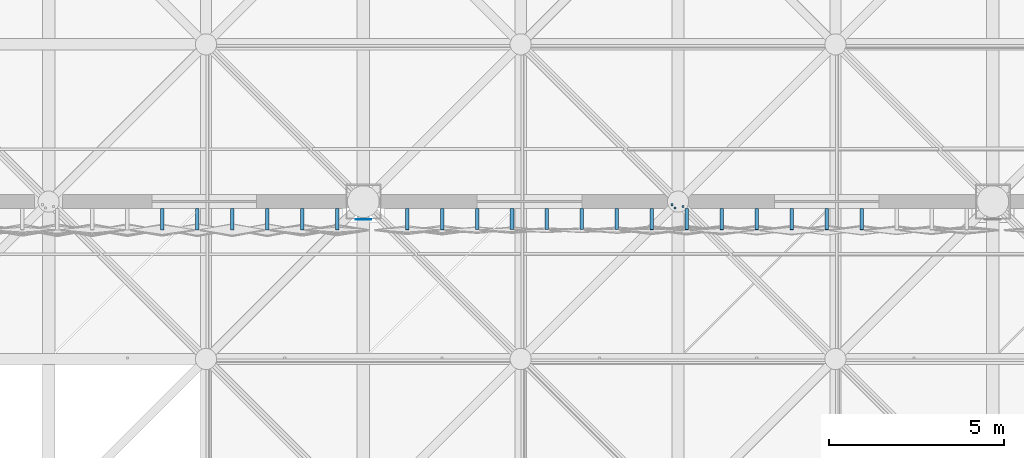
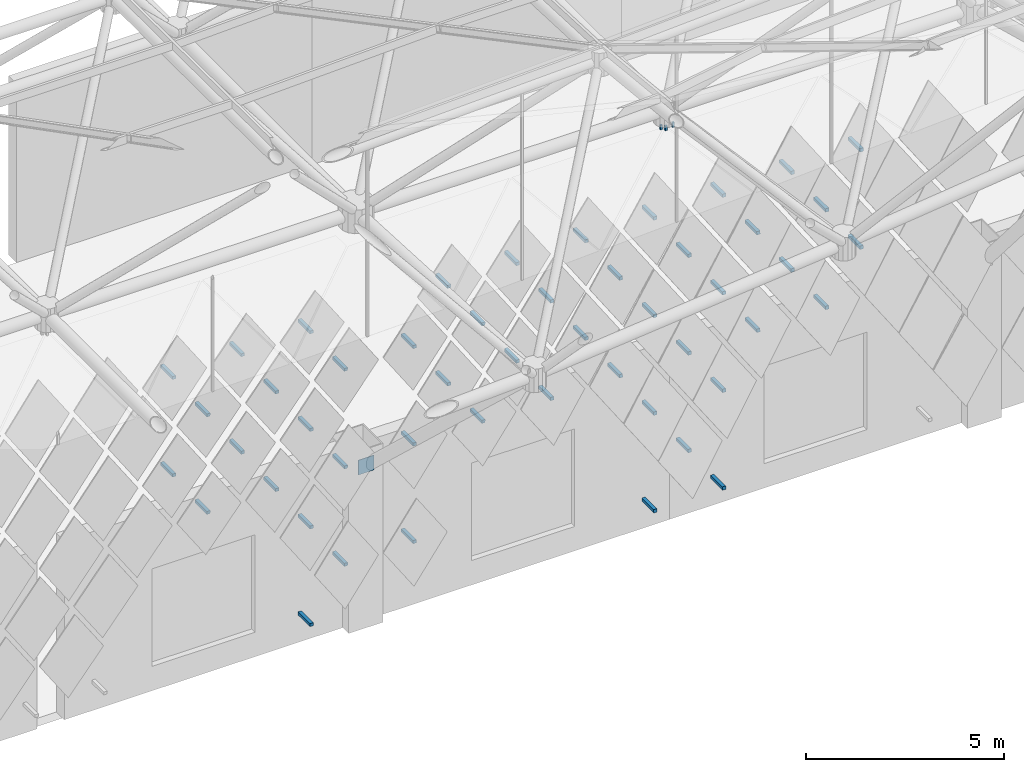
# One storey, part 371 of 437: 53 discrete accessories.
"""IFC4 building model written with IfcOpenShell, lengths in metres."""

from ifc_helpers import new_model, si_unit, direction, frame, origin, place, context, subcontext, project, spatial, polyline, outline, extrude, material, layer, layer_set, type_object, element, save


model = new_model("IFC4")

# Units and contexts
model_context = context("Model", 3, precision=1e-05, world=origin(), true_north=direction((0.0, 1.0)))
body_context = subcontext(model_context, "Body", "Model", "MODEL_VIEW")
ifc_project = project(units=[si_unit("LENGTHUNIT", "METRE"), si_unit("AREAUNIT", "SQUARE_METRE"), si_unit("VOLUMEUNIT", "CUBIC_METRE"), si_unit("PLANEANGLEUNIT", "RADIAN"), si_unit("MASSUNIT", "GRAM", prefix="KILO")], contexts=[model_context])

# Site, building, storey
site_placement = place(None, origin())
site = spatial("IfcSite", under=ifc_project, at=site_placement, CompositionType="ELEMENT")
building_placement = place(site_placement, origin())
building = spatial("IfcBuilding", under=site, at=building_placement, Name="Opaline Strait Convention Centre", CompositionType="ELEMENT")
storey_placement = place(building_placement, frame((0.0, 0.0, 11.5)))
storey = spatial("IfcBuildingStorey", under=building, at=storey_placement, Name="L02", CompositionType="ELEMENT", Elevation=11.5)

# Discrete accessories
ifc_material_1 = material(Name="Structural steel Q355B", Category="steel")
ifc_layer = layer(ifc_material_1, 0.01611328125)
ifc_layer_set = layer_set([ifc_layer], Name="Structural steel Q355B")
discrete_accessory_type_1 = type_object("IfcDiscreteAccessoryType", Name="Prop bearing plate 450 x 450 x 16", PredefinedType="ANCHORPLATE", material=ifc_layer_set)
discrete_accessory_1_placement = place(storey_placement, frame((0.0, 0.0, 4.7900390625)))
element("IfcDiscreteAccessory", 1, at=discrete_accessory_1_placement, inside=storey, type_object=discrete_accessory_type_1, Name="Prop bearing plate 225/54 S", PredefinedType="ANCHORPLATE", context=body_context, shape_type="SweptSolid", body=[
    extrude(outline(polyline([(224.77490234375, 53.48388671875), (225.22509765625, 53.48388671875), (225.22509765625, 53.5), (224.77490234375, 53.5), (224.77490234375, 53.48388671875)])), origin(), (0.0, 0.0, 1.0), 0.449951171875),
])
ifc_material_2 = material(Name="Steel Q355B", Category="steel")
discrete_accessory_type_2 = type_object("IfcDiscreteAccessoryType", Name="Soffit hanger 60x60 steel", PredefinedType="BRACKET", material=ifc_material_2)
discrete_accessory_2_placement = place(storey_placement, frame((0.0, 0.0, 11.99951171875)))
element("IfcDiscreteAccessory", 2, at=discrete_accessory_2_placement, inside=storey, type_object=discrete_accessory_type_2, Name="Soffit hanger", PredefinedType="BRACKET", context=body_context, shape_type="SweptSolid", body=[
    extrude(outline(polyline([(233.880859375, 53.791015625), (233.940673828125, 53.791015625), (233.940673828125, 53.85107421875), (233.880859375, 53.85107421875), (233.880859375, 53.791015625)])), origin(), (0.0, 0.0, 1.0), 0.140380859375),
])
discrete_accessory_3_placement = place(storey_placement, frame((0.0, 0.0, 12.000732421875)))
element("IfcDiscreteAccessory", 3, at=discrete_accessory_3_placement, inside=storey, type_object=discrete_accessory_type_2, Name="Soffit hanger", PredefinedType="BRACKET", context=body_context, shape_type="SweptSolid", body=[
    extrude(outline(polyline([(233.791015625, 53.880859375), (233.85107421875, 53.880859375), (233.85107421875, 53.940673828125), (233.791015625, 53.940673828125), (233.791015625, 53.880859375)])), origin(), (0.0, 0.0, 1.0), 0.13916015625),
])
discrete_accessory_4_placement = place(storey_placement, frame((0.0, 0.0, 11.9990234375)))
element("IfcDiscreteAccessory", 4, at=discrete_accessory_4_placement, inside=storey, type_object=discrete_accessory_type_2, Name="Soffit hanger", PredefinedType="BRACKET", context=body_context, shape_type="SweptSolid", body=[
    extrude(outline(polyline([(234.111328125, 53.82861328125), (234.17138671875, 53.82861328125), (234.17138671875, 53.888671875), (234.111328125, 53.888671875), (234.111328125, 53.82861328125)])), origin(), (0.0, 0.0, 1.0), 0.140869140625),
])
discrete_accessory_type_3 = type_object("IfcDiscreteAccessoryType", Name="Tile bracket 100x100 steel", PredefinedType="BRACKET", material=ifc_material_2)
discrete_accessory_5_placement = place(storey_placement, frame((223.199951171875, 53.800048828125, 0.89208984375), z_axis=(1.0, 0.0, 0.0), x_axis=(0.0, 1.0, 0.0)))
element("IfcDiscreteAccessory", 5, at=discrete_accessory_5_placement, inside=storey, type_object=discrete_accessory_type_3, Name="Tile bracket XT05 S", PredefinedType="BRACKET", context=body_context, shape_type="SweptSolid", body=[
    extrude(outline(polyline([(0.0, -0.050048828125), (0.0, 0.050048828125), (-0.602294921875, 0.050048828125), (-0.597900390625, -0.050048828125), (0.0, -0.050048828125)])), origin(), (0.0, 0.0, 1.0), 0.10009765625),
])
discrete_accessory_6_placement = place(storey_placement, frame((233.199951171875, 53.800048828125, 0.89208984375), z_axis=(1.0, 0.0, 0.0), x_axis=(0.0, 1.0, 0.0)))
element("IfcDiscreteAccessory", 6, at=discrete_accessory_6_placement, inside=storey, type_object=discrete_accessory_type_3, Name="Tile bracket XT12 S", PredefinedType="BRACKET", context=body_context, shape_type="SweptSolid", body=[
    extrude(outline(polyline([(0.0, -0.050048828125), (0.0, 0.050048828125), (-0.5947265625, 0.050048828125), (-0.605224609375, -0.050048828125), (0.0, -0.050048828125)])), origin(), (0.0, 0.0, 1.0), 0.10009765625),
])
discrete_accessory_7_placement = place(storey_placement, frame((235.199951171875, 53.800048828125, 0.89208984375), z_axis=(1.0, 0.0, 0.0), x_axis=(0.0, 1.0, 0.0)))
element("IfcDiscreteAccessory", 7, at=discrete_accessory_7_placement, inside=storey, type_object=discrete_accessory_type_3, Name="Tile bracket XT11 S", PredefinedType="BRACKET", context=body_context, shape_type="SweptSolid", body=[
    extrude(outline(polyline([(0.0, -0.050048828125), (0.0, 0.050048828125), (-0.59521484375, 0.050048828125), (-0.604736328125, -0.050048828125), (0.0, -0.050048828125)])), origin(), (0.0, 0.0, 1.0), 0.10009765625),
])
for number, where, z_axis, x_axis, name in (
    (8, (224.199951171875, 53.800048828125, 2.39208984375), (1.0, 0.0, 0.0), (0.0, 1.0, 0.0), "Tile bracket XT05 S"),
    (9, (226.199951171875, 53.800048828125, 2.39208984375), (1.0, 0.0, 0.0), (0.0, 1.0, 0.0), "Tile bracket XT05 S"),
):
    element("IfcDiscreteAccessory", number, at=place(storey_placement, frame(where, z_axis=z_axis, x_axis=x_axis)), inside=storey, type_object=discrete_accessory_type_3, Name=name, PredefinedType="BRACKET", context=body_context, shape_type="SweptSolid", body=[
        extrude(outline(polyline([(0.0, -0.050048828125), (0.0, 0.050048828125), (-0.602294921875, 0.050048828125), (-0.597900390625, -0.050048828125), (0.0, -0.050048828125)])), origin(), (0.0, 0.0, 1.0), 0.10009765625),
    ])
discrete_accessory_8_placement = place(storey_placement, frame((234.199951171875, 53.800048828125, 2.39208984375), z_axis=(1.0, 0.0, 0.0), x_axis=(0.0, 1.0, 0.0)))
element("IfcDiscreteAccessory", 10, at=discrete_accessory_8_placement, inside=storey, type_object=discrete_accessory_type_3, Name="Tile bracket XT11 S", PredefinedType="BRACKET", context=body_context, shape_type="SweptSolid", body=[
    extrude(outline(polyline([(0.0, -0.050048828125), (0.0, 0.050048828125), (-0.59521484375, 0.050048828125), (-0.604736328125, -0.050048828125), (0.0, -0.050048828125)])), origin(), (0.0, 0.0, 1.0), 0.10009765625),
])
discrete_accessory_9_placement = place(storey_placement, frame((223.199951171875, 53.800048828125, 3.89208984375), z_axis=(1.0, 0.0, 0.0), x_axis=(0.0, 1.0, 0.0)))
element("IfcDiscreteAccessory", 11, at=discrete_accessory_9_placement, inside=storey, type_object=discrete_accessory_type_3, Name="Tile bracket XT09 S", PredefinedType="BRACKET", context=body_context, shape_type="SweptSolid", body=[
    extrude(outline(polyline([(0.0, -0.050048828125), (0.0, 0.050048828125), (-0.60400390625, 0.050048828125), (-0.595947265625, -0.050048828125), (0.0, -0.050048828125)])), origin(), (0.0, 0.0, 1.0), 0.10009765625),
])
discrete_accessory_10_placement = place(storey_placement, frame((233.199951171875, 53.800048828125, 3.89208984375), z_axis=(1.0, 0.0, 0.0), x_axis=(0.0, 1.0, 0.0)))
element("IfcDiscreteAccessory", 12, at=discrete_accessory_10_placement, inside=storey, type_object=discrete_accessory_type_3, Name="Tile bracket XT10 S", PredefinedType="BRACKET", context=body_context, shape_type="SweptSolid", body=[
    extrude(outline(polyline([(0.0, -0.050048828125), (0.0, 0.050048828125), (-0.595703125, 0.050048828125), (-0.604248046875, -0.050048828125), (0.0, -0.050048828125)])), origin(), (0.0, 0.0, 1.0), 0.10009765625),
])
discrete_accessory_11_placement = place(storey_placement, frame((235.199951171875, 53.800048828125, 3.89208984375), z_axis=(1.0, 0.0, 0.0), x_axis=(0.0, 1.0, 0.0)))
element("IfcDiscreteAccessory", 13, at=discrete_accessory_11_placement, inside=storey, type_object=discrete_accessory_type_3, Name="Tile bracket XT11 S", PredefinedType="BRACKET", context=body_context, shape_type="SweptSolid", body=[
    extrude(outline(polyline([(0.0, -0.050048828125), (0.0, 0.050048828125), (-0.59521484375, 0.050048828125), (-0.604736328125, -0.050048828125), (0.0, -0.050048828125)])), origin(), (0.0, 0.0, 1.0), 0.10009765625),
])
discrete_accessory_12_placement = place(storey_placement, frame((220.199951171875, 53.800048828125, 5.39208984375), z_axis=(1.0, 0.0, 0.0), x_axis=(0.0, 1.0, 0.0)))
element("IfcDiscreteAccessory", 14, at=discrete_accessory_12_placement, inside=storey, type_object=discrete_accessory_type_3, Name="Tile bracket XT14 S", PredefinedType="BRACKET", context=body_context, shape_type="SweptSolid", body=[
    extrude(outline(polyline([(0.0, -0.050048828125), (0.0, 0.050048828125), (-0.606201171875, 0.050048828125), (-0.59375, -0.050048828125), (0.0, -0.050048828125)])), origin(), (0.0, 0.0, 1.0), 0.10009765625),
])
discrete_accessory_13_placement = place(storey_placement, frame((222.199951171875, 53.800048828125, 5.39208984375), z_axis=(1.0, 0.0, 0.0), x_axis=(0.0, 1.0, 0.0)))
element("IfcDiscreteAccessory", 15, at=discrete_accessory_13_placement, inside=storey, type_object=discrete_accessory_type_3, Name="Tile bracket XT13 S", PredefinedType="BRACKET", context=body_context, shape_type="SweptSolid", body=[
    extrude(outline(polyline([(0.0, -0.050048828125), (0.0, 0.050048828125), (-0.605712890625, 0.050048828125), (-0.59423828125, -0.050048828125), (0.0, -0.050048828125)])), origin(), (0.0, 0.0, 1.0), 0.10009765625),
])
discrete_accessory_14_placement = place(storey_placement, frame((224.199951171875, 53.800048828125, 5.39208984375), z_axis=(1.0, 0.0, 0.0), x_axis=(0.0, 1.0, 0.0)))
element("IfcDiscreteAccessory", 16, at=discrete_accessory_14_placement, inside=storey, type_object=discrete_accessory_type_3, Name="Tile bracket XT09 S", PredefinedType="BRACKET", context=body_context, shape_type="SweptSolid", body=[
    extrude(outline(polyline([(0.0, -0.050048828125), (0.0, 0.050048828125), (-0.60400390625, 0.050048828125), (-0.595947265625, -0.050048828125), (0.0, -0.050048828125)])), origin(), (0.0, 0.0, 1.0), 0.10009765625),
])
for number, where, z_axis, x_axis, name in (
    (17, (226.199951171875, 53.800048828125, 5.39208984375), (1.0, 0.0, 0.0), (0.0, 1.0, 0.0), "Tile bracket XT05 S"),
    (18, (228.199951171875, 53.800048828125, 5.39208984375), (1.0, 0.0, 0.0), (0.0, 1.0, 0.0), "Tile bracket XT05 S"),
):
    element("IfcDiscreteAccessory", number, at=place(storey_placement, frame(where, z_axis=z_axis, x_axis=x_axis)), inside=storey, type_object=discrete_accessory_type_3, Name=name, PredefinedType="BRACKET", context=body_context, shape_type="SweptSolid", body=[
        extrude(outline(polyline([(0.0, -0.050048828125), (0.0, 0.050048828125), (-0.602294921875, 0.050048828125), (-0.597900390625, -0.050048828125), (0.0, -0.050048828125)])), origin(), (0.0, 0.0, 1.0), 0.10009765625),
    ])
discrete_accessory_15_placement = place(storey_placement, frame((230.199951171875, 53.800048828125, 5.39208984375), z_axis=(1.0, 0.0, 0.0), x_axis=(0.0, 1.0, 0.0)))
element("IfcDiscreteAccessory", 19, at=discrete_accessory_15_placement, inside=storey, type_object=discrete_accessory_type_3, Name="Tile bracket XT04 S", PredefinedType="BRACKET", context=body_context, shape_type="SweptSolid", body=[
    extrude(outline(polyline([(0.0, -0.050048828125), (0.0, 0.050048828125), (-0.59814453125, 0.050048828125), (-0.601806640625, -0.050048828125), (0.0, -0.050048828125)])), origin(), (0.0, 0.0, 1.0), 0.10009765625),
])
discrete_accessory_16_placement = place(storey_placement, frame((232.199951171875, 53.800048828125, 5.39208984375), z_axis=(1.0, 0.0, 0.0), x_axis=(0.0, 1.0, 0.0)))
element("IfcDiscreteAccessory", 20, at=discrete_accessory_16_placement, inside=storey, type_object=discrete_accessory_type_3, Name="Tile bracket XT07 S", PredefinedType="BRACKET", context=body_context, shape_type="SweptSolid", body=[
    extrude(outline(polyline([(0.0, -0.050048828125), (0.0, 0.050048828125), (-0.596923828125, 0.050048828125), (-0.60302734375, -0.050048828125), (0.0, -0.050048828125)])), origin(), (0.0, 0.0, 1.0), 0.10009765625),
])
discrete_accessory_17_placement = place(storey_placement, frame((234.199951171875, 53.800048828125, 5.39208984375), z_axis=(1.0, 0.0, 0.0), x_axis=(0.0, 1.0, 0.0)))
element("IfcDiscreteAccessory", 21, at=discrete_accessory_17_placement, inside=storey, type_object=discrete_accessory_type_3, Name="Tile bracket XT09 S", PredefinedType="BRACKET", context=body_context, shape_type="SweptSolid", body=[
    extrude(outline(polyline([(0.0, -0.050048828125), (0.0, 0.050048828125), (-0.595947265625, 0.050048828125), (-0.60400390625, -0.050048828125), (0.0, -0.050048828125)])), origin(), (0.0, 0.0, 1.0), 0.10009765625),
])
for number, where, z_axis, x_axis, name in (
    (22, (236.199951171875, 53.800048828125, 5.39208984375), (1.0, 0.0, 0.0), (0.0, 1.0, 0.0), "Tile bracket XT11 S"),
    (23, (238.199951171875, 53.800048828125, 5.39208984375), (1.0, 0.0, 0.0), (0.0, 1.0, 0.0), "Tile bracket XT11 S"),
):
    element("IfcDiscreteAccessory", number, at=place(storey_placement, frame(where, z_axis=z_axis, x_axis=x_axis)), inside=storey, type_object=discrete_accessory_type_3, Name=name, PredefinedType="BRACKET", context=body_context, shape_type="SweptSolid", body=[
        extrude(outline(polyline([(0.0, -0.050048828125), (0.0, 0.050048828125), (-0.59521484375, 0.050048828125), (-0.604736328125, -0.050048828125), (0.0, -0.050048828125)])), origin(), (0.0, 0.0, 1.0), 0.10009765625),
    ])
discrete_accessory_18_placement = place(storey_placement, frame((219.199951171875, 53.800048828125, 6.89208984375), z_axis=(1.0, 0.0, 0.0), x_axis=(0.0, 1.0, 0.0)))
element("IfcDiscreteAccessory", 24, at=discrete_accessory_18_placement, inside=storey, type_object=discrete_accessory_type_3, Name="Tile bracket XT13 S", PredefinedType="BRACKET", context=body_context, shape_type="SweptSolid", body=[
    extrude(outline(polyline([(0.0, -0.050048828125), (0.0, 0.050048828125), (-0.605712890625, 0.050048828125), (-0.59423828125, -0.050048828125), (0.0, -0.050048828125)])), origin(), (0.0, 0.0, 1.0), 0.10009765625),
])
discrete_accessory_19_placement = place(storey_placement, frame((221.199951171875, 53.800048828125, 6.89208984375), z_axis=(1.0, 0.0, 0.0), x_axis=(0.0, 1.0, 0.0)))
element("IfcDiscreteAccessory", 25, at=discrete_accessory_19_placement, inside=storey, type_object=discrete_accessory_type_3, Name="Tile bracket XT14 S", PredefinedType="BRACKET", context=body_context, shape_type="SweptSolid", body=[
    extrude(outline(polyline([(0.0, -0.050048828125), (0.0, 0.050048828125), (-0.606201171875, 0.050048828125), (-0.59375, -0.050048828125), (0.0, -0.050048828125)])), origin(), (0.0, 0.0, 1.0), 0.10009765625),
])
discrete_accessory_20_placement = place(storey_placement, frame((223.199951171875, 53.800048828125, 6.89208984375), z_axis=(1.0, 0.0, 0.0), x_axis=(0.0, 1.0, 0.0)))
element("IfcDiscreteAccessory", 26, at=discrete_accessory_20_placement, inside=storey, type_object=discrete_accessory_type_3, Name="Tile bracket XT12 S", PredefinedType="BRACKET", context=body_context, shape_type="SweptSolid", body=[
    extrude(outline(polyline([(0.0, -0.050048828125), (0.0, 0.050048828125), (-0.605224609375, 0.050048828125), (-0.5947265625, -0.050048828125), (0.0, -0.050048828125)])), origin(), (0.0, 0.0, 1.0), 0.10009765625),
])
discrete_accessory_21_placement = place(storey_placement, frame((227.199951171875, 53.800048828125, 6.89208984375), z_axis=(1.0, 0.0, 0.0), x_axis=(0.0, 1.0, 0.0)))
element("IfcDiscreteAccessory", 27, at=discrete_accessory_21_placement, inside=storey, type_object=discrete_accessory_type_3, Name="Tile bracket XT06 S", PredefinedType="BRACKET", context=body_context, shape_type="SweptSolid", body=[
    extrude(outline(polyline([(0.0, -0.050048828125), (0.0, 0.050048828125), (-0.6025390625, 0.050048828125), (-0.597412109375, -0.050048828125), (0.0, -0.050048828125)])), origin(), (0.0, 0.0, 1.0), 0.10009765625),
])
discrete_accessory_22_placement = place(storey_placement, frame((229.199951171875, 53.800048828125, 6.89208984375), z_axis=(1.0, 0.0, 0.0), x_axis=(0.0, 1.0, 0.0)))
element("IfcDiscreteAccessory", 28, at=discrete_accessory_22_placement, inside=storey, type_object=discrete_accessory_type_3, Name="Tile bracket XT04 S", PredefinedType="BRACKET", context=body_context, shape_type="SweptSolid", body=[
    extrude(outline(polyline([(0.0, -0.050048828125), (0.0, 0.050048828125), (-0.601806640625, 0.050048828125), (-0.59814453125, -0.050048828125), (0.0, -0.050048828125)])), origin(), (0.0, 0.0, 1.0), 0.10009765625),
])
discrete_accessory_23_placement = place(storey_placement, frame((231.199951171875, 53.800048828125, 6.89208984375), z_axis=(1.0, 0.0, 0.0), x_axis=(0.0, 1.0, 0.0)))
element("IfcDiscreteAccessory", 29, at=discrete_accessory_23_placement, inside=storey, type_object=discrete_accessory_type_3, Name="Tile bracket XT04 S", PredefinedType="BRACKET", context=body_context, shape_type="SweptSolid", body=[
    extrude(outline(polyline([(0.0, -0.050048828125), (0.0, 0.050048828125), (-0.59814453125, 0.050048828125), (-0.601806640625, -0.050048828125), (0.0, -0.050048828125)])), origin(), (0.0, 0.0, 1.0), 0.10009765625),
])
discrete_accessory_24_placement = place(storey_placement, frame((233.199951171875, 53.800048828125, 6.89208984375), z_axis=(1.0, 0.0, 0.0), x_axis=(0.0, 1.0, 0.0)))
element("IfcDiscreteAccessory", 30, at=discrete_accessory_24_placement, inside=storey, type_object=discrete_accessory_type_3, Name="Tile bracket XT07 S", PredefinedType="BRACKET", context=body_context, shape_type="SweptSolid", body=[
    extrude(outline(polyline([(0.0, -0.050048828125), (0.0, 0.050048828125), (-0.596923828125, 0.050048828125), (-0.60302734375, -0.050048828125), (0.0, -0.050048828125)])), origin(), (0.0, 0.0, 1.0), 0.10009765625),
])
discrete_accessory_25_placement = place(storey_placement, frame((235.199951171875, 53.800048828125, 6.89208984375), z_axis=(1.0, 0.0, 0.0), x_axis=(0.0, 1.0, 0.0)))
element("IfcDiscreteAccessory", 31, at=discrete_accessory_25_placement, inside=storey, type_object=discrete_accessory_type_3, Name="Tile bracket XT09 S", PredefinedType="BRACKET", context=body_context, shape_type="SweptSolid", body=[
    extrude(outline(polyline([(0.0, -0.050048828125), (0.0, 0.050048828125), (-0.595947265625, 0.050048828125), (-0.60400390625, -0.050048828125), (0.0, -0.050048828125)])), origin(), (0.0, 0.0, 1.0), 0.10009765625),
])
for number, where, z_axis, x_axis, name in (
    (32, (237.199951171875, 53.800048828125, 6.89208984375), (1.0, 0.0, 0.0), (0.0, 1.0, 0.0), "Tile bracket XT11 S"),
    (33, (239.199951171875, 53.800048828125, 6.89208984375), (1.0, 0.0, 0.0), (0.0, 1.0, 0.0), "Tile bracket XT11 S"),
):
    element("IfcDiscreteAccessory", number, at=place(storey_placement, frame(where, z_axis=z_axis, x_axis=x_axis)), inside=storey, type_object=discrete_accessory_type_3, Name=name, PredefinedType="BRACKET", context=body_context, shape_type="SweptSolid", body=[
        extrude(outline(polyline([(0.0, -0.050048828125), (0.0, 0.050048828125), (-0.59521484375, 0.050048828125), (-0.604736328125, -0.050048828125), (0.0, -0.050048828125)])), origin(), (0.0, 0.0, 1.0), 0.10009765625),
    ])
discrete_accessory_26_placement = place(storey_placement, frame((220.199951171875, 53.800048828125, 8.39208984375), z_axis=(1.0, 0.0, 0.0), x_axis=(0.0, 1.0, 0.0)))
element("IfcDiscreteAccessory", 34, at=discrete_accessory_26_placement, inside=storey, type_object=discrete_accessory_type_3, Name="Tile bracket XT13 S", PredefinedType="BRACKET", context=body_context, shape_type="SweptSolid", body=[
    extrude(outline(polyline([(0.0, -0.050048828125), (0.0, 0.050048828125), (-0.605712890625, 0.050048828125), (-0.59423828125, -0.050048828125), (0.0, -0.050048828125)])), origin(), (0.0, 0.0, 1.0), 0.10009765625),
])
discrete_accessory_27_placement = place(storey_placement, frame((222.199951171875, 53.800048828125, 8.39208984375), z_axis=(1.0, 0.0, 0.0), x_axis=(0.0, 1.0, 0.0)))
element("IfcDiscreteAccessory", 35, at=discrete_accessory_27_placement, inside=storey, type_object=discrete_accessory_type_3, Name="Tile bracket XT14 S", PredefinedType="BRACKET", context=body_context, shape_type="SweptSolid", body=[
    extrude(outline(polyline([(0.0, -0.050048828125), (0.0, 0.050048828125), (-0.606201171875, 0.050048828125), (-0.59375, -0.050048828125), (0.0, -0.050048828125)])), origin(), (0.0, 0.0, 1.0), 0.10009765625),
])
discrete_accessory_28_placement = place(storey_placement, frame((224.199951171875, 53.800048828125, 8.39208984375), z_axis=(1.0, 0.0, 0.0), x_axis=(0.0, 1.0, 0.0)))
element("IfcDiscreteAccessory", 36, at=discrete_accessory_28_placement, inside=storey, type_object=discrete_accessory_type_3, Name="Tile bracket XT12 S", PredefinedType="BRACKET", context=body_context, shape_type="SweptSolid", body=[
    extrude(outline(polyline([(0.0, -0.050048828125), (0.0, 0.050048828125), (-0.605224609375, 0.050048828125), (-0.5947265625, -0.050048828125), (0.0, -0.050048828125)])), origin(), (0.0, 0.0, 1.0), 0.10009765625),
])
discrete_accessory_29_placement = place(storey_placement, frame((226.199951171875, 53.800048828125, 8.39208984375), z_axis=(1.0, 0.0, 0.0), x_axis=(0.0, 1.0, 0.0)))
element("IfcDiscreteAccessory", 37, at=discrete_accessory_29_placement, inside=storey, type_object=discrete_accessory_type_3, Name="Tile bracket XT09 S", PredefinedType="BRACKET", context=body_context, shape_type="SweptSolid", body=[
    extrude(outline(polyline([(0.0, -0.050048828125), (0.0, 0.050048828125), (-0.60400390625, 0.050048828125), (-0.595947265625, -0.050048828125), (0.0, -0.050048828125)])), origin(), (0.0, 0.0, 1.0), 0.10009765625),
])
discrete_accessory_30_placement = place(storey_placement, frame((228.199951171875, 53.800048828125, 8.39208984375), z_axis=(1.0, 0.0, 0.0), x_axis=(0.0, 1.0, 0.0)))
element("IfcDiscreteAccessory", 38, at=discrete_accessory_30_placement, inside=storey, type_object=discrete_accessory_type_3, Name="Tile bracket XT06 S", PredefinedType="BRACKET", context=body_context, shape_type="SweptSolid", body=[
    extrude(outline(polyline([(0.0, -0.050048828125), (0.0, 0.050048828125), (-0.6025390625, 0.050048828125), (-0.597412109375, -0.050048828125), (0.0, -0.050048828125)])), origin(), (0.0, 0.0, 1.0), 0.10009765625),
])
discrete_accessory_31_placement = place(storey_placement, frame((230.199951171875, 53.800048828125, 8.39208984375), z_axis=(1.0, 0.0, 0.0), x_axis=(0.0, 1.0, 0.0)))
element("IfcDiscreteAccessory", 39, at=discrete_accessory_31_placement, inside=storey, type_object=discrete_accessory_type_3, Name="Tile bracket XT04 S", PredefinedType="BRACKET", context=body_context, shape_type="SweptSolid", body=[
    extrude(outline(polyline([(0.0, -0.050048828125), (0.0, 0.050048828125), (-0.601806640625, 0.050048828125), (-0.59814453125, -0.050048828125), (0.0, -0.050048828125)])), origin(), (0.0, 0.0, 1.0), 0.10009765625),
])
discrete_accessory_32_placement = place(storey_placement, frame((232.199951171875, 53.800048828125, 8.39208984375), z_axis=(1.0, 0.0, 0.0), x_axis=(0.0, 1.0, 0.0)))
element("IfcDiscreteAccessory", 40, at=discrete_accessory_32_placement, inside=storey, type_object=discrete_accessory_type_3, Name="Tile bracket XT04 S", PredefinedType="BRACKET", context=body_context, shape_type="SweptSolid", body=[
    extrude(outline(polyline([(0.0, -0.050048828125), (0.0, 0.050048828125), (-0.59814453125, 0.050048828125), (-0.601806640625, -0.050048828125), (0.0, -0.050048828125)])), origin(), (0.0, 0.0, 1.0), 0.10009765625),
])
discrete_accessory_33_placement = place(storey_placement, frame((234.199951171875, 53.800048828125, 8.39208984375), z_axis=(1.0, 0.0, 0.0), x_axis=(0.0, 1.0, 0.0)))
element("IfcDiscreteAccessory", 41, at=discrete_accessory_33_placement, inside=storey, type_object=discrete_accessory_type_3, Name="Tile bracket XT06 S", PredefinedType="BRACKET", context=body_context, shape_type="SweptSolid", body=[
    extrude(outline(polyline([(0.0, -0.050048828125), (0.0, 0.050048828125), (-0.597412109375, 0.050048828125), (-0.6025390625, -0.050048828125), (0.0, -0.050048828125)])), origin(), (0.0, 0.0, 1.0), 0.10009765625),
])
discrete_accessory_34_placement = place(storey_placement, frame((236.199951171875, 53.800048828125, 8.39208984375), z_axis=(1.0, 0.0, 0.0), x_axis=(0.0, 1.0, 0.0)))
element("IfcDiscreteAccessory", 42, at=discrete_accessory_34_placement, inside=storey, type_object=discrete_accessory_type_3, Name="Tile bracket XT09 S", PredefinedType="BRACKET", context=body_context, shape_type="SweptSolid", body=[
    extrude(outline(polyline([(0.0, -0.050048828125), (0.0, 0.050048828125), (-0.595947265625, 0.050048828125), (-0.60400390625, -0.050048828125), (0.0, -0.050048828125)])), origin(), (0.0, 0.0, 1.0), 0.10009765625),
])
discrete_accessory_35_placement = place(storey_placement, frame((238.199951171875, 53.800048828125, 8.39208984375), z_axis=(1.0, 0.0, 0.0), x_axis=(0.0, 1.0, 0.0)))
element("IfcDiscreteAccessory", 43, at=discrete_accessory_35_placement, inside=storey, type_object=discrete_accessory_type_3, Name="Tile bracket XT11 S", PredefinedType="BRACKET", context=body_context, shape_type="SweptSolid", body=[
    extrude(outline(polyline([(0.0, -0.050048828125), (0.0, 0.050048828125), (-0.59521484375, 0.050048828125), (-0.604736328125, -0.050048828125), (0.0, -0.050048828125)])), origin(), (0.0, 0.0, 1.0), 0.10009765625),
])
discrete_accessory_36_placement = place(storey_placement, frame((219.199951171875, 53.800048828125, 9.89208984375), z_axis=(1.0, 0.0, 0.0), x_axis=(0.0, 1.0, 0.0)))
element("IfcDiscreteAccessory", 44, at=discrete_accessory_36_placement, inside=storey, type_object=discrete_accessory_type_3, Name="Tile bracket XT11 S", PredefinedType="BRACKET", context=body_context, shape_type="SweptSolid", body=[
    extrude(outline(polyline([(0.0, -0.050048828125), (0.0, 0.050048828125), (-0.604736328125, 0.050048828125), (-0.59521484375, -0.050048828125), (0.0, -0.050048828125)])), origin(), (0.0, 0.0, 1.0), 0.10009765625),
])
for number, where, z_axis, x_axis, name in (
    (45, (221.199951171875, 53.800048828125, 9.89208984375), (1.0, 0.0, 0.0), (0.0, 1.0, 0.0), "Tile bracket XT13 S"),
    (46, (223.199951171875, 53.800048828125, 9.89208984375), (1.0, 0.0, 0.0), (0.0, 1.0, 0.0), "Tile bracket XT13 S"),
):
    element("IfcDiscreteAccessory", number, at=place(storey_placement, frame(where, z_axis=z_axis, x_axis=x_axis)), inside=storey, type_object=discrete_accessory_type_3, Name=name, PredefinedType="BRACKET", context=body_context, shape_type="SweptSolid", body=[
        extrude(outline(polyline([(0.0, -0.050048828125), (0.0, 0.050048828125), (-0.605712890625, 0.050048828125), (-0.59423828125, -0.050048828125), (0.0, -0.050048828125)])), origin(), (0.0, 0.0, 1.0), 0.10009765625),
    ])
discrete_accessory_37_placement = place(storey_placement, frame((227.199951171875, 53.800048828125, 9.89208984375), z_axis=(1.0, 0.0, 0.0), x_axis=(0.0, 1.0, 0.0)))
element("IfcDiscreteAccessory", 47, at=discrete_accessory_37_placement, inside=storey, type_object=discrete_accessory_type_3, Name="Tile bracket XT10 S", PredefinedType="BRACKET", context=body_context, shape_type="SweptSolid", body=[
    extrude(outline(polyline([(0.0, -0.050048828125), (0.0, 0.050048828125), (-0.604248046875, 0.050048828125), (-0.595703125, -0.050048828125), (0.0, -0.050048828125)])), origin(), (0.0, 0.0, 1.0), 0.10009765625),
])
discrete_accessory_38_placement = place(storey_placement, frame((229.199951171875, 53.800048828125, 9.89208984375), z_axis=(1.0, 0.0, 0.0), x_axis=(0.0, 1.0, 0.0)))
element("IfcDiscreteAccessory", 48, at=discrete_accessory_38_placement, inside=storey, type_object=discrete_accessory_type_3, Name="Tile bracket XT06 S", PredefinedType="BRACKET", context=body_context, shape_type="SweptSolid", body=[
    extrude(outline(polyline([(0.0, -0.050048828125), (0.0, 0.050048828125), (-0.6025390625, 0.050048828125), (-0.597412109375, -0.050048828125), (0.0, -0.050048828125)])), origin(), (0.0, 0.0, 1.0), 0.10009765625),
])
discrete_accessory_39_placement = place(storey_placement, frame((231.199951171875, 53.800048828125, 9.89208984375), z_axis=(1.0, 0.0, 0.0), x_axis=(0.0, 1.0, 0.0)))
element("IfcDiscreteAccessory", 49, at=discrete_accessory_39_placement, inside=storey, type_object=discrete_accessory_type_3, Name="Tile bracket XT04 S", PredefinedType="BRACKET", context=body_context, shape_type="SweptSolid", body=[
    extrude(outline(polyline([(0.0, -0.050048828125), (0.0, 0.050048828125), (-0.601806640625, 0.050048828125), (-0.59814453125, -0.050048828125), (0.0, -0.050048828125)])), origin(), (0.0, 0.0, 1.0), 0.10009765625),
])
discrete_accessory_40_placement = place(storey_placement, frame((233.199951171875, 53.800048828125, 9.89208984375), z_axis=(1.0, 0.0, 0.0), x_axis=(0.0, 1.0, 0.0)))
element("IfcDiscreteAccessory", 50, at=discrete_accessory_40_placement, inside=storey, type_object=discrete_accessory_type_3, Name="Tile bracket XT04 S", PredefinedType="BRACKET", context=body_context, shape_type="SweptSolid", body=[
    extrude(outline(polyline([(0.0, -0.050048828125), (0.0, 0.050048828125), (-0.59814453125, 0.050048828125), (-0.601806640625, -0.050048828125), (0.0, -0.050048828125)])), origin(), (0.0, 0.0, 1.0), 0.10009765625),
])
discrete_accessory_41_placement = place(storey_placement, frame((235.199951171875, 53.800048828125, 9.89208984375), z_axis=(1.0, 0.0, 0.0), x_axis=(0.0, 1.0, 0.0)))
element("IfcDiscreteAccessory", 51, at=discrete_accessory_41_placement, inside=storey, type_object=discrete_accessory_type_3, Name="Tile bracket XT06 S", PredefinedType="BRACKET", context=body_context, shape_type="SweptSolid", body=[
    extrude(outline(polyline([(0.0, -0.050048828125), (0.0, 0.050048828125), (-0.597412109375, 0.050048828125), (-0.6025390625, -0.050048828125), (0.0, -0.050048828125)])), origin(), (0.0, 0.0, 1.0), 0.10009765625),
])
discrete_accessory_42_placement = place(storey_placement, frame((237.199951171875, 53.800048828125, 9.89208984375), z_axis=(1.0, 0.0, 0.0), x_axis=(0.0, 1.0, 0.0)))
element("IfcDiscreteAccessory", 52, at=discrete_accessory_42_placement, inside=storey, type_object=discrete_accessory_type_3, Name="Tile bracket XT09 S", PredefinedType="BRACKET", context=body_context, shape_type="SweptSolid", body=[
    extrude(outline(polyline([(0.0, -0.050048828125), (0.0, 0.050048828125), (-0.595947265625, 0.050048828125), (-0.60400390625, -0.050048828125), (0.0, -0.050048828125)])), origin(), (0.0, 0.0, 1.0), 0.10009765625),
])
discrete_accessory_43_placement = place(storey_placement, frame((239.199951171875, 53.800048828125, 9.89208984375), z_axis=(1.0, 0.0, 0.0), x_axis=(0.0, 1.0, 0.0)))
element("IfcDiscreteAccessory", 53, at=discrete_accessory_43_placement, inside=storey, type_object=discrete_accessory_type_3, Name="Tile bracket XT10 S", PredefinedType="BRACKET", context=body_context, shape_type="SweptSolid", body=[
    extrude(outline(polyline([(0.0, -0.050048828125), (0.0, 0.050048828125), (-0.595703125, 0.050048828125), (-0.604248046875, -0.050048828125), (0.0, -0.050048828125)])), origin(), (0.0, 0.0, 1.0), 0.10009765625),
])

save(model, "model.ifc")
